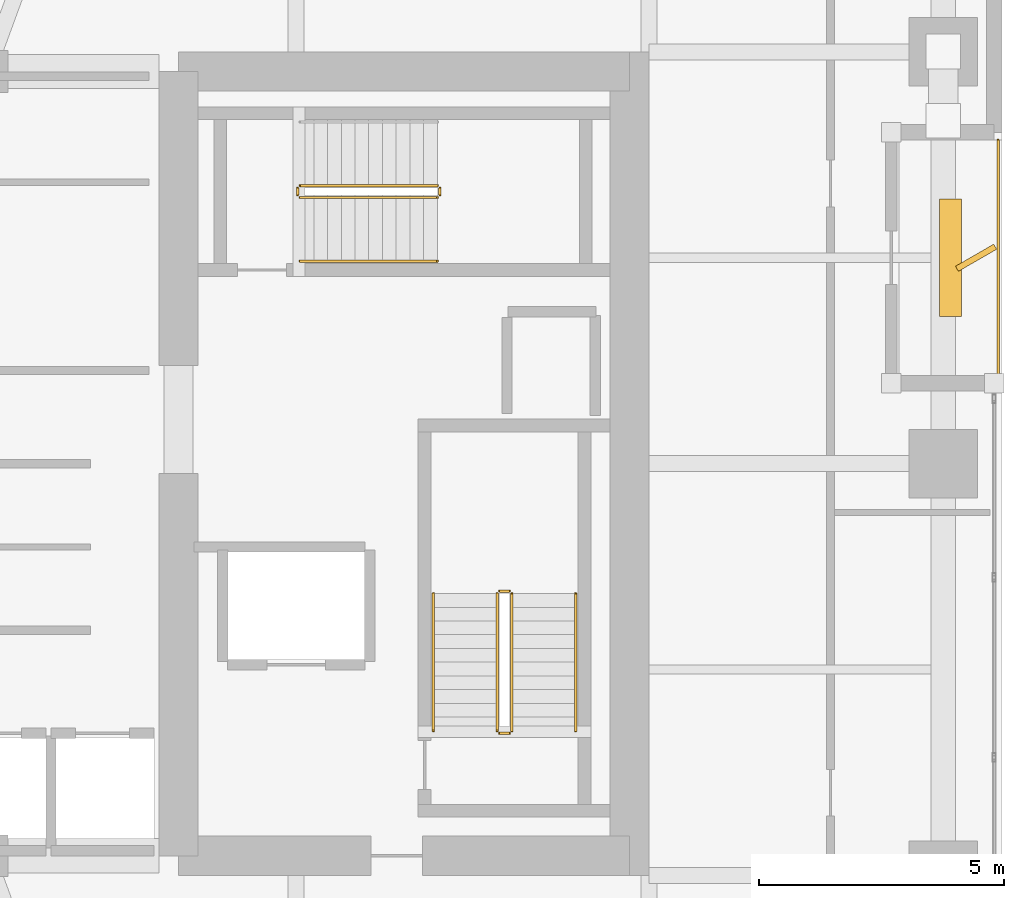
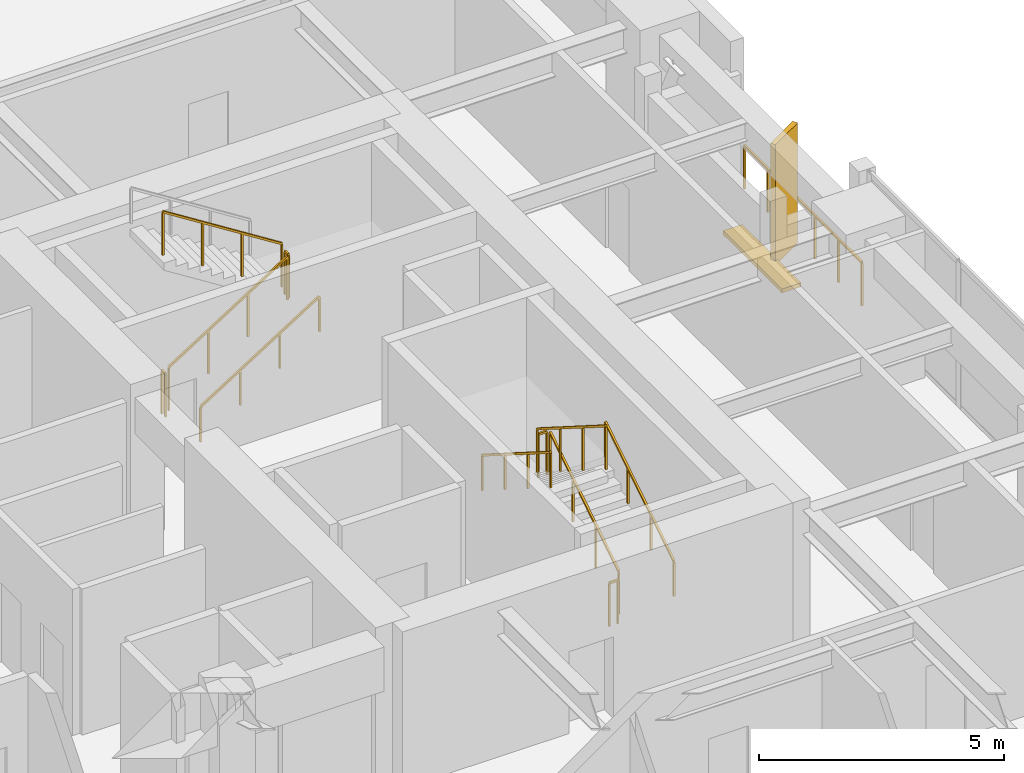
# One storey, part 23 of 24: 12 railings, 2 shading devices.
"""IFC4 building model written with IfcOpenShell, lengths in metres."""

from ifc_helpers import new_model, si_unit, direction, frame, origin, origin_2d, place, context, subcontext, project, spatial, rectangle, extrude, material, type_object, element, save


model = new_model("IFC4")

# Units and contexts
model_context = context("Model", 3, precision=1e-05, world=origin(), true_north=direction((0.0, 1.0)))
body_context = subcontext(model_context, "Body", "Model", "MODEL_VIEW")
ifc_project = project(units=[si_unit("LENGTHUNIT", "METRE"), si_unit("AREAUNIT", "SQUARE_METRE"), si_unit("VOLUMEUNIT", "CUBIC_METRE"), si_unit("PLANEANGLEUNIT", "RADIAN"), si_unit("MASSUNIT", "GRAM", prefix="KILO")], contexts=[model_context])

# Site, building, storey
site_placement = place(None, origin())
site = spatial("IfcSite", under=ifc_project, at=site_placement, CompositionType="ELEMENT")
building_placement = place(site_placement, origin())
building = spatial("IfcBuilding", under=site, at=building_placement, Name="Kiyonajd Concourse Tower", CompositionType="ELEMENT")
storey_placement = place(building_placement, frame((0.0, 0.0, 109.199951171875)))
storey = spatial("IfcBuildingStorey", under=building, at=storey_placement, Name="L28", CompositionType="ELEMENT", Elevation=109.199951171875)

# Railings
ifc_material_1 = material(Name="Thermally Broken Anodised Aluminium", Category="aluminium")
railing_type_1 = type_object("IfcRailingType", Name="RL-GRD-LOG", PredefinedType="GUARDRAIL", material=ifc_material_1)
railing_1_placement = place(storey_placement, frame((70.719970703125, 37.800048828125, 0.0)))
element("IfcRailing", 1, at=railing_1_placement, inside=storey, type_object=railing_type_1, Name="L28 Engawa Loggia Perimeter Guard LOG-E", PredefinedType="GUARDRAIL", context=body_context, shape_type="SweptSolid", body=[
    extrude(rectangle(XDim=0.048095703125, YDim=0.048095703125, at=origin_2d()), frame((0.0, 0.0, 1.076171875), z_axis=(0.0, 1.0, 0.0), x_axis=(-1.0, 0.0, 0.0)), (0.0, 0.0, 1.0), 4.800048828125),
    extrude(rectangle(XDim=0.0419921875, YDim=0.0419921875, at=origin_2d()), origin(), (0.0, 0.0, 1.0), 1.052001953125),
    extrude(rectangle(XDim=0.0419921875, YDim=0.0419921875, at=origin_2d()), frame((0.0, 0.9599609375, 0.0)), (0.0, 0.0, 1.0), 1.052001953125),
    extrude(rectangle(XDim=0.0419921875, YDim=0.0419921875, at=origin_2d()), frame((0.0, 1.919921875, 0.0)), (0.0, 0.0, 1.0), 1.052001953125),
    extrude(rectangle(XDim=0.0419921875, YDim=0.0419921875, at=origin_2d()), frame((0.0, 2.880126953125, 0.0)), (0.0, 0.0, 1.0), 1.052001953125),
    extrude(rectangle(XDim=0.0419921875, YDim=0.0419921875, at=origin_2d()), frame((0.0, 3.840087890625, 0.0)), (0.0, 0.0, 1.0), 1.052001953125),
    extrude(rectangle(XDim=0.0419921875, YDim=0.0419921875, at=origin_2d()), frame((0.0, 4.800048828125, 0.0)), (0.0, 0.0, 1.0), 1.052001953125),
])
ifc_material_2 = material(Name="Steel ASTM A500 Grade C", Category="steel")
railing_type_2 = type_object("IfcRailingType", Name="RL-GRD-STR", PredefinedType="GUARDRAIL", material=ifc_material_2)
railing_2_placement = place(storey_placement, frame((60.800048828125, 30.550048828125, 0.17724609375)))
element("IfcRailing", 2, at=railing_2_placement, inside=storey, type_object=railing_type_2, Name="L28 ST2 stair guard 1", PredefinedType="GUARDRAIL", context=body_context, shape_type="SweptSolid", body=[
    extrude(rectangle(XDim=0.048095703125, YDim=0.048095703125, at=origin_2d()), frame((0.0, 0.0, 1.076171875), z_axis=(0.0, 0.844908973607, 0.534910110503), x_axis=(-1.0, 0.0, 0.0)), (0.0, 0.0, 1.0), 3.31396484375),
    extrude(rectangle(XDim=0.0419921875, YDim=0.0419921875, at=origin_2d()), origin(), (0.0, 0.0, 1.0), 1.052001953125),
    extrude(rectangle(XDim=0.0419921875, YDim=0.0419921875, at=origin_2d()), frame((0.0, 0.933349609375, 0.5908203125)), (0.0, 0.0, 1.0), 1.052001953125),
    extrude(rectangle(XDim=0.0419921875, YDim=0.0419921875, at=origin_2d()), frame((0.0, 1.86669921875, 1.181884765625)), (0.0, 0.0, 1.0), 1.052001953125),
    extrude(rectangle(XDim=0.0419921875, YDim=0.0419921875, at=origin_2d()), frame((0.0, 2.800048828125, 1.772705078125)), (0.0, 0.0, 1.0), 1.052001953125),
])
railing_3_placement = place(storey_placement, frame((60.75, 33.39990234375, 1.949951171875)))
element("IfcRailing", 3, at=railing_3_placement, inside=storey, type_object=railing_type_2, Name="L28 ST2 stair guard 2", PredefinedType="GUARDRAIL", context=body_context, shape_type="SweptSolid", body=[
    extrude(rectangle(XDim=0.048095703125, YDim=0.048095703125, at=origin_2d()), frame((0.0, 0.0, 1.076171875), z_axis=(-1.0, 0.0, 0.0), x_axis=(0.0, -1.0, 0.0)), (0.0, 0.0, 1.0), 0.199951171875),
    extrude(rectangle(XDim=0.0419921875, YDim=0.0419921875, at=origin_2d()), origin(), (0.0, 0.0, 1.0), 1.052001953125),
    extrude(rectangle(XDim=0.0419921875, YDim=0.0419921875, at=origin_2d()), frame((-0.199951171875, 0.0, 0.0)), (0.0, 0.0, 1.0), 1.052001953125),
])
railing_4_placement = place(storey_placement, frame((60.5, 33.35009765625, 2.12744140625)))
element("IfcRailing", 4, at=railing_4_placement, inside=storey, type_object=railing_type_2, Name="L28 ST2 stair guard 3", PredefinedType="GUARDRAIL", context=body_context, shape_type="SweptSolid", body=[
    extrude(rectangle(XDim=0.048095703125, YDim=0.048095703125, at=origin_2d()), frame((0.0, 0.0, 1.076171875), z_axis=(0.0, -0.844908973607, 0.534910110503), x_axis=(1.0, 0.0, 0.0)), (0.0, 0.0, 1.0), 3.31396484375),
    extrude(rectangle(XDim=0.0419921875, YDim=0.0419921875, at=origin_2d()), origin(), (0.0, 0.0, 1.0), 1.052001953125),
    extrude(rectangle(XDim=0.0419921875, YDim=0.0419921875, at=origin_2d()), frame((0.0, -0.933349609375, 0.5908203125)), (0.0, 0.0, 1.0), 1.052001953125),
    extrude(rectangle(XDim=0.0419921875, YDim=0.0419921875, at=origin_2d()), frame((0.0, -1.86669921875, 1.181884765625)), (0.0, 0.0, 1.0), 1.052001953125),
    extrude(rectangle(XDim=0.0419921875, YDim=0.0419921875, at=origin_2d()), frame((0.0, -2.800048828125, 1.772705078125)), (0.0, 0.0, 1.0), 1.052001953125),
])
railing_5_placement = place(storey_placement, frame((60.75, 30.5, 0.0)))
element("IfcRailing", 5, at=railing_5_placement, inside=storey, type_object=railing_type_2, Name="L28 ST2 stair guard 4", PredefinedType="GUARDRAIL", context=body_context, shape_type="SweptSolid", body=[
    extrude(rectangle(XDim=0.048095703125, YDim=0.048095703125, at=origin_2d()), frame((0.0, 0.0, 1.076171875), z_axis=(-1.0, 0.0, 0.0), x_axis=(0.0, -1.0, 0.0)), (0.0, 0.0, 1.0), 0.199951171875),
    extrude(rectangle(XDim=0.0419921875, YDim=0.0419921875, at=origin_2d()), origin(), (0.0, 0.0, 1.0), 1.052001953125),
    extrude(rectangle(XDim=0.0419921875, YDim=0.0419921875, at=origin_2d()), frame((-0.199951171875, 0.0, 0.0)), (0.0, 0.0, 1.0), 1.052001953125),
])
railing_6_placement = place(storey_placement, frame((56.47998046875, 41.429931640625, 0.17724609375)))
element("IfcRailing", 6, at=railing_6_placement, inside=storey, type_object=railing_type_2, Name="L28 ST3 stair guard 1", PredefinedType="GUARDRAIL", context=body_context, shape_type="SweptSolid", body=[
    extrude(rectangle(XDim=0.048095703125, YDim=0.048095703125, at=origin_2d()), frame((0.0, 0.0, 1.076171875), z_axis=(0.844908973607, 0.0, 0.534910110503), x_axis=(0.0, 1.0, 0.0)), (0.0, 0.0, 1.0), 3.31396484375),
    extrude(rectangle(XDim=0.0419921875, YDim=0.0419921875, at=origin_2d()), origin(), (0.0, 0.0, 1.0), 1.052001953125),
    extrude(rectangle(XDim=0.0419921875, YDim=0.0419921875, at=origin_2d()), frame((0.933349609375, 0.0, 0.5908203125)), (0.0, 0.0, 1.0), 1.052001953125),
    extrude(rectangle(XDim=0.0419921875, YDim=0.0419921875, at=origin_2d()), frame((1.86669921875, 0.0, 1.181884765625)), (0.0, 0.0, 1.0), 1.052001953125),
    extrude(rectangle(XDim=0.0419921875, YDim=0.0419921875, at=origin_2d()), frame((2.800048828125, 0.0, 1.772705078125)), (0.0, 0.0, 1.0), 1.052001953125),
])
railing_7_placement = place(storey_placement, frame((59.330078125, 41.47998046875, 1.949951171875)))
element("IfcRailing", 7, at=railing_7_placement, inside=storey, type_object=railing_type_2, Name="L28 ST3 stair guard 2", PredefinedType="GUARDRAIL", context=body_context, shape_type="SweptSolid", body=[
    extrude(rectangle(XDim=0.048095703125, YDim=0.048095703125, at=origin_2d()), frame((0.0, 0.0, 1.076171875), z_axis=(0.0, 1.0, 0.0), x_axis=(-1.0, 0.0, 0.0)), (0.0, 0.0, 1.0), 0.14013671875),
    extrude(rectangle(XDim=0.0419921875, YDim=0.0419921875, at=origin_2d()), origin(), (0.0, 0.0, 1.0), 1.052001953125),
    extrude(rectangle(XDim=0.0419921875, YDim=0.0419921875, at=origin_2d()), frame((0.0, 0.14013671875, 0.0)), (0.0, 0.0, 1.0), 1.052001953125),
])
railing_8_placement = place(storey_placement, frame((59.280029296875, 41.669921875, 2.12744140625)))
element("IfcRailing", 8, at=railing_8_placement, inside=storey, type_object=railing_type_2, Name="L28 ST3 stair guard 3", PredefinedType="GUARDRAIL", context=body_context, shape_type="SweptSolid", body=[
    extrude(rectangle(XDim=0.048095703125, YDim=0.048095703125, at=origin_2d()), frame((0.0, 0.0, 1.076171875), z_axis=(-0.844908973607, 0.0, 0.534910110503), x_axis=(0.0, -1.0, 0.0)), (0.0, 0.0, 1.0), 3.31396484375),
    extrude(rectangle(XDim=0.0419921875, YDim=0.0419921875, at=origin_2d()), origin(), (0.0, 0.0, 1.0), 1.052001953125),
    extrude(rectangle(XDim=0.0419921875, YDim=0.0419921875, at=origin_2d()), frame((-0.933349609375, 0.0, 0.5908203125)), (0.0, 0.0, 1.0), 1.052001953125),
    extrude(rectangle(XDim=0.0419921875, YDim=0.0419921875, at=origin_2d()), frame((-1.86669921875, 0.0, 1.181884765625)), (0.0, 0.0, 1.0), 1.052001953125),
    extrude(rectangle(XDim=0.0419921875, YDim=0.0419921875, at=origin_2d()), frame((-2.800048828125, 0.0, 1.772705078125)), (0.0, 0.0, 1.0), 1.052001953125),
])
railing_9_placement = place(storey_placement, frame((56.429931640625, 41.47998046875, 0.0)))
element("IfcRailing", 9, at=railing_9_placement, inside=storey, type_object=railing_type_2, Name="L28 ST3 stair guard 4", PredefinedType="GUARDRAIL", context=body_context, shape_type="SweptSolid", body=[
    extrude(rectangle(XDim=0.048095703125, YDim=0.048095703125, at=origin_2d()), frame((0.0, 0.0, 1.076171875), z_axis=(0.0, 1.0, 0.0), x_axis=(-1.0, 0.0, 0.0)), (0.0, 0.0, 1.0), 0.14013671875),
    extrude(rectangle(XDim=0.0419921875, YDim=0.0419921875, at=origin_2d()), origin(), (0.0, 0.0, 1.0), 1.052001953125),
    extrude(rectangle(XDim=0.0419921875, YDim=0.0419921875, at=origin_2d()), frame((0.0, 0.14013671875, 0.0)), (0.0, 0.0, 1.0), 1.052001953125),
])
ifc_material_3 = material(Name="Brushed Stainless Steel Cab Assembly", Category="steel")
railing_type_3 = type_object("IfcRailingType", Name="RL-HND-900", PredefinedType="HANDRAIL", material=ifc_material_3)
railing_10_placement = place(storey_placement, frame((62.10009765625, 30.550048828125, 0.17724609375)))
element("IfcRailing", 10, at=railing_10_placement, inside=storey, type_object=railing_type_3, Name="L28 ST2 stair handrail 1", PredefinedType="HANDRAIL", context=body_context, shape_type="SweptSolid", body=[
    extrude(rectangle(XDim=0.048095703125, YDim=0.048095703125, at=origin_2d()), frame((0.0, 0.0, 0.8759765625), z_axis=(0.0, 0.844908973607, 0.534910110503), x_axis=(-1.0, 0.0, 0.0)), (0.0, 0.0, 1.0), 3.31396484375),
    extrude(rectangle(XDim=0.0419921875, YDim=0.0419921875, at=origin_2d()), origin(), (0.0, 0.0, 1.0), 0.851806640625),
    extrude(rectangle(XDim=0.0419921875, YDim=0.0419921875, at=origin_2d()), frame((0.0, 0.933349609375, 0.5908203125)), (0.0, 0.0, 1.0), 0.851806640625),
    extrude(rectangle(XDim=0.0419921875, YDim=0.0419921875, at=origin_2d()), frame((0.0, 1.86669921875, 1.181884765625)), (0.0, 0.0, 1.0), 0.851806640625),
    extrude(rectangle(XDim=0.0419921875, YDim=0.0419921875, at=origin_2d()), frame((0.0, 2.800048828125, 1.772705078125)), (0.0, 0.0, 1.0), 0.851806640625),
])
railing_11_placement = place(storey_placement, frame((59.199951171875, 33.35009765625, 2.12744140625)))
element("IfcRailing", 11, at=railing_11_placement, inside=storey, type_object=railing_type_3, Name="L28 ST2 stair handrail 2", PredefinedType="HANDRAIL", context=body_context, shape_type="SweptSolid", body=[
    extrude(rectangle(XDim=0.048095703125, YDim=0.048095703125, at=origin_2d()), frame((0.0, 0.0, 0.8759765625), z_axis=(0.0, -0.844908973607, 0.534910110503), x_axis=(1.0, 0.0, 0.0)), (0.0, 0.0, 1.0), 3.31396484375),
    extrude(rectangle(XDim=0.0419921875, YDim=0.0419921875, at=origin_2d()), origin(), (0.0, 0.0, 1.0), 0.851806640625),
    extrude(rectangle(XDim=0.0419921875, YDim=0.0419921875, at=origin_2d()), frame((0.0, -0.933349609375, 0.5908203125)), (0.0, 0.0, 1.0), 0.851806640625),
    extrude(rectangle(XDim=0.0419921875, YDim=0.0419921875, at=origin_2d()), frame((0.0, -1.86669921875, 1.181884765625)), (0.0, 0.0, 1.0), 0.851806640625),
    extrude(rectangle(XDim=0.0419921875, YDim=0.0419921875, at=origin_2d()), frame((0.0, -2.800048828125, 1.772705078125)), (0.0, 0.0, 1.0), 0.851806640625),
])
railing_12_placement = place(storey_placement, frame((56.47998046875, 40.1298828125, 0.17724609375)))
element("IfcRailing", 12, at=railing_12_placement, inside=storey, type_object=railing_type_3, Name="L28 ST3 stair handrail 1", PredefinedType="HANDRAIL", context=body_context, shape_type="SweptSolid", body=[
    extrude(rectangle(XDim=0.048095703125, YDim=0.048095703125, at=origin_2d()), frame((0.0, 0.0, 0.8759765625), z_axis=(0.844908973607, 0.0, 0.534910110503), x_axis=(0.0, 1.0, 0.0)), (0.0, 0.0, 1.0), 3.31396484375),
    extrude(rectangle(XDim=0.0419921875, YDim=0.0419921875, at=origin_2d()), origin(), (0.0, 0.0, 1.0), 0.851806640625),
    extrude(rectangle(XDim=0.0419921875, YDim=0.0419921875, at=origin_2d()), frame((0.933349609375, 0.0, 0.5908203125)), (0.0, 0.0, 1.0), 0.851806640625),
    extrude(rectangle(XDim=0.0419921875, YDim=0.0419921875, at=origin_2d()), frame((1.86669921875, 0.0, 1.181884765625)), (0.0, 0.0, 1.0), 0.851806640625),
    extrude(rectangle(XDim=0.0419921875, YDim=0.0419921875, at=origin_2d()), frame((2.800048828125, 0.0, 1.772705078125)), (0.0, 0.0, 1.0), 0.851806640625),
])

# Shading devices
ifc_material_4 = material(Name="Precast concrete C50/60", Category="concrete")
shading_device_type_1 = type_object("IfcShadingDeviceType", Name="SH-FIN-900", PredefinedType="USERDEFINED", material=ifc_material_4)
shading_device_1_placement = place(storey_placement, frame((70.27001953125, 40.199951171875, 0.0), z_axis=(0.0, 0.0, 1.0), x_axis=(0.866025403784, 0.5, 0.0)))
element("IfcShadingDevice", 13, at=shading_device_1_placement, inside=storey, type_object=shading_device_type_1, Name="L28 Angled Koshi Solar Fin LOG-E", ObjectType="FIN", PredefinedType="USERDEFINED", context=body_context, shape_type="SweptSolid", body=[
    extrude(rectangle(XDim=0.89990234375, YDim=0.1201171875, at=origin_2d()), origin(), (0.0, 0.0, 1.0), 3.0),
])
shading_device_type_2 = type_object("IfcShadingDeviceType", Name="SH-LVR-600", PredefinedType="JALOUSIE", material=ifc_material_1)
shading_device_2_placement = place(storey_placement, frame((69.75, 40.199951171875, 0.0), z_axis=(0.0, 0.0, 1.0), x_axis=(0.0, 1.0, 0.0)))
element("IfcShadingDevice", 14, at=shading_device_2_placement, inside=storey, type_object=shading_device_type_2, Name="L28 Loggia Threshold Louver LOG-E", PredefinedType="JALOUSIE", context=body_context, shape_type="SweptSolid", body=[
    extrude(rectangle(XDim=2.39990234375, YDim=0.449951171875, at=origin_2d()), origin(), (0.0, 0.0, 1.0), 0.10009765625),
])

save(model, "model.ifc")
